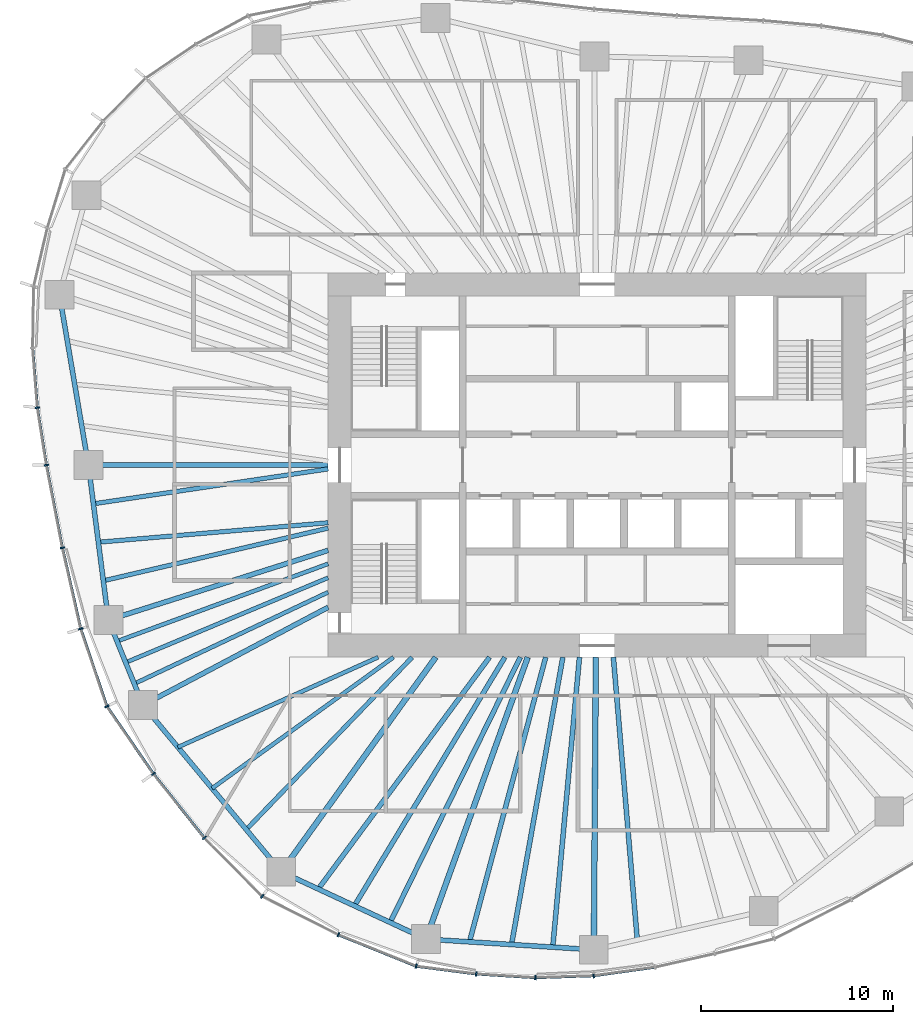
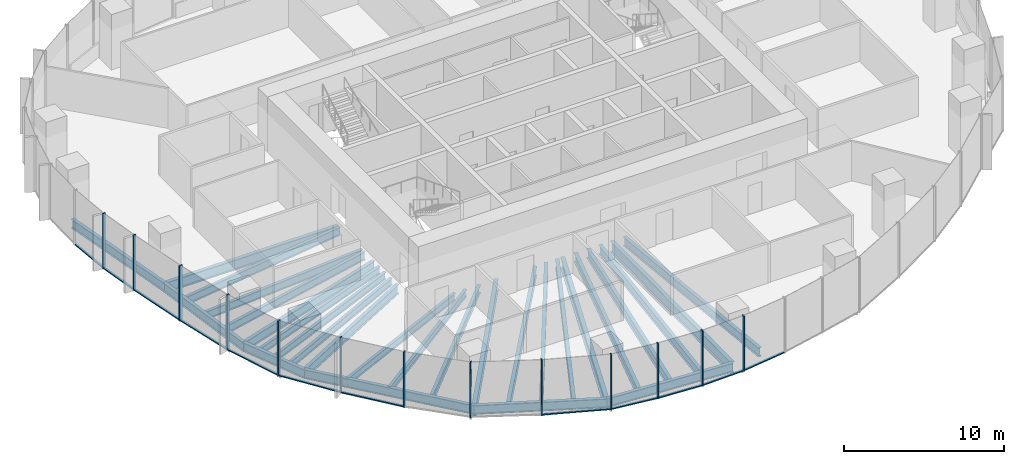
# One storey, part 2 of 18: 28 beams, 25 members, 7 elements without a shape of their own.
"""IFC4 building model written with IfcOpenShell, lengths in metres."""

from ifc_helpers import new_model, si_unit, direction, frame, origin, origin_2d, place, context, subcontext, project, spatial, rectangle, i_section, extrude, material, material_profile, profile_set, type_object, element, aggregate, save


model = new_model("IFC4")

# Units and contexts
model_context = context("Model", 3, precision=1e-05, world=origin(), true_north=direction((0.0, 1.0)))
body_context = subcontext(model_context, "Body", "Model", "MODEL_VIEW")
ifc_project = project(units=[si_unit("LENGTHUNIT", "METRE"), si_unit("AREAUNIT", "SQUARE_METRE"), si_unit("VOLUMEUNIT", "CUBIC_METRE"), si_unit("PLANEANGLEUNIT", "RADIAN"), si_unit("MASSUNIT", "GRAM", prefix="KILO")], contexts=[model_context])

# Site, building, storey
site_placement = place(None, origin())
site = spatial("IfcSite", under=ifc_project, at=site_placement, CompositionType="ELEMENT")
building_placement = place(site_placement, origin())
building = spatial("IfcBuilding", under=site, at=building_placement, Name="Ghaith Harvest Tower", CompositionType="ELEMENT")
storey_placement = place(building_placement, frame((0.0, 0.0, 121.800048828125)))
storey = spatial("IfcBuildingStorey", under=building, at=storey_placement, Name="L25", CompositionType="ELEMENT", Elevation=121.800048828125)

# Curtain wall, member
ifc_material_1 = material(Name="Black anodised aluminium and fritted glass", Category="aluminium")
curtain_wall_type = type_object("IfcCurtainWallType", Name="CW-L CURTAIN WALL", PredefinedType="NOTDEFINED", material=ifc_material_1)
curtain_wall_1_placement = place(storey_placement, origin())
curtain_wall_1 = element("IfcCurtainWall", 1, at=curtain_wall_1_placement, inside=storey, type_object=curtain_wall_type, Name="Curtain wall CW-L bay 10 L25", PredefinedType="NOTDEFINED")
ifc_material_2 = material(Name="Aluminium, black anodised", Category="aluminium")
ifc_material_profile_1 = material_profile(ifc_material_2, rectangle(XDim=0.080078125, YDim=0.239990234375, at=origin_2d()), Name="CW-L MULLION 80x240")
ifc_profile_set_1 = profile_set([ifc_material_profile_1], Name="Aluminium, black anodised")
member_type_1 = type_object("IfcMemberType", Name="CW-L MULLION 80x240", PredefinedType="MULLION", material=ifc_profile_set_1)
member_1_placement = place(storey_placement, frame((-29.131103515625, 2.990478515625, 0.0), z_axis=(0.0, 0.0, 1.0), x_axis=(0.116763791346, -0.993159713757, 0.0)))
member_1 = element("IfcMember", 2, at=member_1_placement, type_object=member_type_1, Name="CW-L mullion 3 bay 10 L25", PredefinedType="MULLION", context=body_context, shape_type="SweptSolid", body=[
    extrude(rectangle(XDim=0.080078125, YDim=0.239990234375, at=origin_2d()), origin(), (0.0, 0.0, 1.0), 4.199951171875),
])

# Curtain wall, members
curtain_wall_2_placement = place(storey_placement, origin())
curtain_wall_2 = element("IfcCurtainWall", 3, at=curtain_wall_2_placement, inside=storey, type_object=curtain_wall_type, Name="Curtain wall CW-L bay 11 L25", PredefinedType="NOTDEFINED")
member_2_placement = place(storey_placement, frame((-28.6611328125, 0.0, 0.0), z_axis=(0.0, 0.0, 1.0), x_axis=(0.175827209372, -0.984421044292, 0.0)))
member_2 = element("IfcMember", 4, at=member_2_placement, type_object=member_type_1, Name="CW-L mullion 1 bay 11 L25", PredefinedType="MULLION", context=body_context, shape_type="SweptSolid", body=[
    extrude(rectangle(XDim=0.080078125, YDim=0.239990234375, at=origin_2d()), origin(), (0.0, 0.0, 1.0), 4.199951171875),
])
member_3_placement = place(storey_placement, frame((-27.828125, -4.30419921875, 0.0), z_axis=(0.0, 0.0, 1.0), x_axis=(0.205176300018, -0.978725030798, 0.0)))
member_3 = element("IfcMember", 5, at=member_3_placement, type_object=member_type_1, Name="CW-L mullion 2 bay 11 L25", PredefinedType="MULLION", context=body_context, shape_type="SweptSolid", body=[
    extrude(rectangle(XDim=0.080078125, YDim=0.239990234375, at=origin_2d()), origin(), (0.0, 0.0, 1.0), 4.199951171875),
])

curtain_wall_3_placement = place(storey_placement, origin())
curtain_wall_3 = element("IfcCurtainWall", 6, at=curtain_wall_3_placement, inside=storey, type_object=curtain_wall_type, Name="Curtain wall CW-L bay 12 L25", PredefinedType="NOTDEFINED")
member_4_placement = place(storey_placement, frame((-26.875732421875, -8.517333984375, 0.0), z_axis=(0.0, 0.0, 1.0), x_axis=(0.270018818005, -0.962855045125, 0.0)))
member_4 = element("IfcMember", 7, at=member_4_placement, type_object=member_type_1, Name="CW-L mullion 1 bay 12 L25", PredefinedType="MULLION", context=body_context, shape_type="SweptSolid", body=[
    extrude(rectangle(XDim=0.080078125, YDim=0.239990234375, at=origin_2d()), origin(), (0.0, 0.0, 1.0), 4.199951171875),
])
member_5_placement = place(storey_placement, frame((-25.513427734375, -12.55810546875, 0.0), z_axis=(0.0, 0.0, 1.0), x_axis=(0.448267068681, -0.893899678452, 0.0)))
member_5 = element("IfcMember", 8, at=member_5_placement, type_object=member_type_1, Name="CW-L mullion 2 bay 12 L25", PredefinedType="MULLION", context=body_context, shape_type="SweptSolid", body=[
    extrude(rectangle(XDim=0.080078125, YDim=0.239990234375, at=origin_2d()), origin(), (0.0, 0.0, 1.0), 4.199951171875),
])

curtain_wall_4_placement = place(storey_placement, origin())
curtain_wall_4 = element("IfcCurtainWall", 9, at=curtain_wall_4_placement, inside=storey, type_object=curtain_wall_type, Name="Curtain wall CW-L bay 13 L25", PredefinedType="NOTDEFINED")
member_6_placement = place(storey_placement, frame((-23.090087890625, -16.066162109375, 0.0), z_axis=(0.0, 0.0, 1.0), x_axis=(0.595740202191, -0.803177198066, 0.0)))
member_6 = element("IfcMember", 10, at=member_6_placement, type_object=member_type_1, Name="CW-L mullion 1 bay 13 L25", PredefinedType="MULLION", context=body_context, shape_type="SweptSolid", body=[
    extrude(rectangle(XDim=0.080078125, YDim=0.239990234375, at=origin_2d()), origin(), (0.0, 0.0, 1.0), 4.199951171875),
])
member_7_placement = place(storey_placement, frame((-20.441162109375, -19.396728515625, 0.0), z_axis=(0.0, 0.0, 1.0), x_axis=(0.663764675537, -0.747941478666, 0.0)))
member_7 = element("IfcMember", 11, at=member_7_placement, type_object=member_type_1, Name="CW-L mullion 2 bay 13 L25", PredefinedType="MULLION", context=body_context, shape_type="SweptSolid", body=[
    extrude(rectangle(XDim=0.080078125, YDim=0.239990234375, at=origin_2d()), origin(), (0.0, 0.0, 1.0), 4.199951171875),
])

curtain_wall_5_placement = place(storey_placement, origin())
curtain_wall_5 = element("IfcCurtainWall", 12, at=curtain_wall_5_placement, inside=storey, type_object=curtain_wall_type, Name="Curtain wall CW-L bay 14 L25", PredefinedType="NOTDEFINED")
member_8_placement = place(storey_placement, frame((-17.430419921875, -22.443603515625, 0.0), z_axis=(0.0, 0.0, 1.0), x_axis=(0.810339399222, -0.585960799089, 0.0)))
member_8 = element("IfcMember", 13, at=member_8_placement, type_object=member_type_1, Name="CW-L mullion 1 bay 14 L25", PredefinedType="MULLION", context=body_context, shape_type="SweptSolid", body=[
    extrude(rectangle(XDim=0.080078125, YDim=0.239990234375, at=origin_2d()), origin(), (0.0, 0.0, 1.0), 4.199951171875),
])
member_9_placement = place(storey_placement, frame((-13.463134765625, -24.4423828125, 0.0), z_axis=(0.0, 0.0, 1.0), x_axis=(0.910648017946, -0.413182995066, 0.0)))
member_9 = element("IfcMember", 14, at=member_9_placement, type_object=member_type_1, Name="CW-L mullion 2 bay 14 L25", PredefinedType="MULLION", context=body_context, shape_type="SweptSolid", body=[
    extrude(rectangle(XDim=0.080078125, YDim=0.239990234375, at=origin_2d()), origin(), (0.0, 0.0, 1.0), 4.199951171875),
])

curtain_wall_6_placement = place(storey_placement, origin())
curtain_wall_6 = element("IfcCurtainWall", 15, at=curtain_wall_6_placement, inside=storey, type_object=curtain_wall_type, Name="Curtain wall CW-L bay 15 L25", PredefinedType="NOTDEFINED")
member_10_placement = place(storey_placement, frame((-9.4189453125, -26.07861328125, 0.0), z_axis=(0.0, 0.0, 1.0), x_axis=(0.961788606004, -0.273793128768, 0.0)))
member_10 = element("IfcMember", 16, at=member_10_placement, type_object=member_type_1, Name="CW-L mullion 1 bay 15 L25", PredefinedType="MULLION", context=body_context, shape_type="SweptSolid", body=[
    extrude(rectangle(XDim=0.080078125, YDim=0.239990234375, at=origin_2d()), origin(), (0.0, 0.0, 1.0), 4.199951171875),
])
member_11_placement = place(storey_placement, frame((-6.29443359375, -26.483154296875, 0.0), z_axis=(0.0, 0.0, 1.0), x_axis=(0.995389243171, -0.095917957546, 0.0)))
member_11 = element("IfcMember", 17, at=member_11_placement, type_object=member_type_1, Name="CW-L mullion 2 bay 15 L25", PredefinedType="MULLION", context=body_context, shape_type="SweptSolid", body=[
    extrude(rectangle(XDim=0.080078125, YDim=0.239990234375, at=origin_2d()), origin(), (0.0, 0.0, 1.0), 4.199951171875),
])
member_12_placement = place(storey_placement, frame((-3.21923828125, -26.676025390625, 0.0), z_axis=(0.0, 0.0, 1.0), x_axis=(0.999890531495, -0.014796115241, 0.0)))
member_12 = element("IfcMember", 18, at=member_12_placement, type_object=member_type_1, Name="CW-L mullion 3 bay 15 L25", PredefinedType="MULLION", context=body_context, shape_type="SweptSolid", body=[
    extrude(rectangle(XDim=0.080078125, YDim=0.239990234375, at=origin_2d()), origin(), (0.0, 0.0, 1.0), 4.199951171875),
])

# Curtain wall, member
curtain_wall_7_placement = place(storey_placement, origin())
curtain_wall_7 = element("IfcCurtainWall", 19, at=curtain_wall_7_placement, inside=storey, type_object=curtain_wall_type, Name="Curtain wall CW-L bay 16 L25", PredefinedType="NOTDEFINED")
member_13_placement = place(storey_placement, frame((-0.181884765625, -26.57373046875, 0.0), z_axis=(0.0, 0.0, 1.0), x_axis=(0.996169227662, 0.087446382772, 0.0)))
member_13 = element("IfcMember", 20, at=member_13_placement, type_object=member_type_1, Name="CW-L mullion 1 bay 16 L25", PredefinedType="MULLION", context=body_context, shape_type="SweptSolid", body=[
    extrude(rectangle(XDim=0.080078125, YDim=0.239990234375, at=origin_2d()), origin(), (0.0, 0.0, 1.0), 4.199951171875),
])

# Member
ifc_material_3 = material(Name="Aluminium, black anodised", Category="aluminium")
ifc_material_profile_2 = material_profile(ifc_material_3, rectangle(XDim=0.14990234375, YDim=0.080078125, at=origin_2d()), Name="CW-L TRANSOM 150x80")
ifc_profile_set_2 = profile_set([ifc_material_profile_2], Name="Aluminium, black anodised")
member_type_2 = type_object("IfcMemberType", Name="CW-L TRANSOM 150x80", PredefinedType="USERDEFINED", material=ifc_profile_set_2)
member_14_placement = place(storey_placement, frame((-29.374755859375, 6.05615234375, 0.0400390625), z_axis=(0.079230491279, -0.996856323274, 0.0), x_axis=(0.996856323274, 0.079230491279, 0.0)))
member_14 = element("IfcMember", 21, at=member_14_placement, type_object=member_type_2, Name="CW-L transom 2 bay 10 L25", ObjectType="TRANSOM", PredefinedType="USERDEFINED", context=body_context, shape_type="SweptSolid", body=[
    extrude(rectangle(XDim=0.14990234375, YDim=0.080078125, at=origin_2d()), origin(), (0.0, 0.0, 1.0), 3.03515625),
])

member_15_placement = place(storey_placement, frame((-29.124755859375, 2.951171875, 0.0400390625), z_axis=(0.155150065502, -0.987890913601, 0.0), x_axis=(0.987890913601, 0.155150065502, 0.0)))
member_15 = element("IfcMember", 22, at=member_15_placement, type_object=member_type_2, Name="CW-L transom 3 bay 10 L25", ObjectType="TRANSOM", PredefinedType="USERDEFINED", context=body_context, shape_type="SweptSolid", body=[
    extrude(rectangle(XDim=0.14990234375, YDim=0.080078125, at=origin_2d()), origin(), (0.0, 0.0, 1.0), 2.947265625),
])

aggregate(curtain_wall_1, [member_14, member_1, member_15])

member_16_placement = place(storey_placement, frame((-28.653564453125, -0.039306640625, 0.0400390625), z_axis=(0.190025434036, -0.981779167848, 0.0), x_axis=(0.981779167848, 0.190025434036, 0.0)))
member_16 = element("IfcMember", 23, at=member_16_placement, type_object=member_type_2, Name="CW-L transom 1 bay 11 L25", ObjectType="TRANSOM", PredefinedType="USERDEFINED", context=body_context, shape_type="SweptSolid", body=[
    extrude(rectangle(XDim=0.14990234375, YDim=0.080078125, at=origin_2d()), origin(), (0.0, 0.0, 1.0), 4.303955078125),
])

member_17_placement = place(storey_placement, frame((-27.8193359375, -4.34326171875, 0.0400390625), z_axis=(0.220508326041, -0.975385092231, 0.0), x_axis=(0.975385092231, 0.220508326041, 0.0)))
member_17 = element("IfcMember", 24, at=member_17_placement, type_object=member_type_2, Name="CW-L transom 2 bay 11 L25", ObjectType="TRANSOM", PredefinedType="USERDEFINED", context=body_context, shape_type="SweptSolid", body=[
    extrude(rectangle(XDim=0.14990234375, YDim=0.080078125, at=origin_2d()), origin(), (0.0, 0.0, 1.0), 4.2392578125),
])

aggregate(curtain_wall_2, [member_2, member_16, member_3, member_17])

member_18_placement = place(storey_placement, frame((-26.863037109375, -8.55517578125, 0.0400390625), z_axis=(0.319499057133, -0.947586593664, 0.0), x_axis=(0.947586593664, 0.319499057133, 0.0)))
member_18 = element("IfcMember", 25, at=member_18_placement, type_object=member_type_2, Name="CW-L transom 1 bay 12 L25", ObjectType="TRANSOM", PredefinedType="USERDEFINED", context=body_context, shape_type="SweptSolid", body=[
    extrude(rectangle(XDim=0.14990234375, YDim=0.080078125, at=origin_2d()), origin(), (0.0, 0.0, 1.0), 4.184326171875),
])

member_19_placement = place(storey_placement, frame((-25.49072265625, -12.591064453125, 0.0400390625), z_axis=(0.568360052499, -0.822779952796, 0.0), x_axis=(0.822779952796, 0.568360052499, 0.0)))
member_19 = element("IfcMember", 26, at=member_19_placement, type_object=member_type_2, Name="CW-L transom 2 bay 12 L25", ObjectType="TRANSOM", PredefinedType="USERDEFINED", context=body_context, shape_type="SweptSolid", body=[
    extrude(rectangle(XDim=0.14990234375, YDim=0.080078125, at=origin_2d()), origin(), (0.0, 0.0, 1.0), 4.183837890625),
])

aggregate(curtain_wall_3, [member_4, member_18, member_5, member_19])

member_20_placement = place(storey_placement, frame((-23.065185546875, -16.09765625, 0.0400390625), z_axis=(0.622510542814, -0.782611413209, 0.0), x_axis=(0.782611413209, 0.622510542814, 0.0)))
member_20 = element("IfcMember", 27, at=member_20_placement, type_object=member_type_2, Name="CW-L transom 1 bay 13 L25", ObjectType="TRANSOM", PredefinedType="USERDEFINED", context=body_context, shape_type="SweptSolid", body=[
    extrude(rectangle(XDim=0.14990234375, YDim=0.080078125, at=origin_2d()), origin(), (0.0, 0.0, 1.0), 4.17529296875),
])

aggregate(curtain_wall_4, [member_6, member_20, member_7])

member_21_placement = place(storey_placement, frame((-13.426025390625, -24.45751953125, 0.0400390625), z_axis=(0.92700297754, -0.375053968959, 0.0), x_axis=(0.375053968959, 0.92700297754, 0.0)))
member_21 = element("IfcMember", 28, at=member_21_placement, type_object=member_type_2, Name="CW-L transom 2 bay 14 L25", ObjectType="TRANSOM", PredefinedType="USERDEFINED", context=body_context, shape_type="SweptSolid", body=[
    extrude(rectangle(XDim=0.14990234375, YDim=0.080078125, at=origin_2d()), origin(), (0.0, 0.0, 1.0), 4.282470703125),
])

aggregate(curtain_wall_5, [member_8, member_9, member_21])

member_22_placement = place(storey_placement, frame((-9.37939453125, -26.083740234375, 0.0400390625), z_axis=(0.991722765635, -0.128397648429, 0.0), x_axis=(0.128397648429, 0.991722765635, 0.0)))
member_22 = element("IfcMember", 29, at=member_22_placement, type_object=member_type_2, Name="CW-L transom 1 bay 15 L25", ObjectType="TRANSOM", PredefinedType="USERDEFINED", context=body_context, shape_type="SweptSolid", body=[
    extrude(rectangle(XDim=0.14990234375, YDim=0.080078125, at=origin_2d()), origin(), (0.0, 0.0, 1.0), 3.07080078125),
])

member_23_placement = place(storey_placement, frame((-6.25439453125, -26.485595703125, 0.0400390625), z_axis=(0.998036402434, -0.062636566132, 0.0), x_axis=(0.062636566132, 0.998036402434, 0.0)))
member_23 = element("IfcMember", 30, at=member_23_placement, type_object=member_type_2, Name="CW-L transom 2 bay 15 L25", ObjectType="TRANSOM", PredefinedType="USERDEFINED", context=body_context, shape_type="SweptSolid", body=[
    extrude(rectangle(XDim=0.14990234375, YDim=0.080078125, at=origin_2d()), origin(), (0.0, 0.0, 1.0), 3.001220703125),
])

member_24_placement = place(storey_placement, frame((-3.17919921875, -26.6748046875, 0.0400390625), z_axis=(0.999430436664, 0.033746144522, 0.0), x_axis=(-0.033746144522, 0.999430436664, 0.0)))
member_24 = element("IfcMember", 31, at=member_24_placement, type_object=member_type_2, Name="CW-L transom 3 bay 15 L25", ObjectType="TRANSOM", PredefinedType="USERDEFINED", context=body_context, shape_type="SweptSolid", body=[
    extrude(rectangle(XDim=0.14990234375, YDim=0.080078125, at=origin_2d()), origin(), (0.0, 0.0, 1.0), 2.958984375),
])

aggregate(curtain_wall_6, [member_10, member_22, member_11, member_23, member_12, member_24])

member_25_placement = place(storey_placement, frame((-0.142333984375, -26.568115234375, 0.0400390625), z_axis=(0.990446640965, 0.137896524254, 0.0), x_axis=(-0.137896524254, 0.990446640965, 0.0)))
member_25 = element("IfcMember", 32, at=member_25_placement, type_object=member_type_2, Name="CW-L transom 1 bay 16 L25", ObjectType="TRANSOM", PredefinedType="USERDEFINED", context=body_context, shape_type="SweptSolid", body=[
    extrude(rectangle(XDim=0.14990234375, YDim=0.080078125, at=origin_2d()), origin(), (0.0, 0.0, 1.0), 3.142578125),
])

aggregate(curtain_wall_7, [member_13, member_25])

# Beams
ifc_material_4 = material(Name="Steel ASTM A992 Grade 50", Category="steel")
ifc_material_profile_3 = material_profile(ifc_material_4, i_section(OverallWidth=0.25390625, OverallDepth=0.68408203125, WebThickness=0.012451171875, FlangeThickness=0.018798828125, at=origin_2d()), Name="W690X140")
ifc_profile_set_3 = profile_set([ifc_material_profile_3], Name="Steel ASTM A992 Grade 50")
beam_type_1 = type_object("IfcBeamType", Name="E690-140 W690X140", PredefinedType="SPANDREL", material=ifc_profile_set_3)
beam_1_placement = place(storey_placement, frame((-27.98291015625, 8.867919921875, -0.511962890625), z_axis=(0.167624246844, -0.985850958244, 0.0), x_axis=(0.985850958244, 0.167624246844, 0.0)))
element("IfcBeam", 33, at=beam_1_placement, inside=storey, type_object=beam_type_1, Name="Edge beam E10 L25", PredefinedType="SPANDREL", context=body_context, shape_type="SweptSolid", body=[
    extrude(i_section(OverallWidth=0.25390625, OverallDepth=0.68408203125, WebThickness=0.012451171875, FlangeThickness=0.018798828125, at=origin_2d()), origin(), (0.0, 0.0, 1.0), 8.9951171875),
])
beam_2_placement = place(storey_placement, frame((-26.47509765625, 0.0, -0.511962890625), z_axis=(0.127841715048, -0.991794583517, 0.0), x_axis=(0.991794583517, 0.127841715048, 0.0)))
element("IfcBeam", 34, at=beam_2_placement, inside=storey, type_object=beam_type_1, Name="Edge beam E11 L25", PredefinedType="SPANDREL", context=body_context, shape_type="SweptSolid", body=[
    extrude(i_section(OverallWidth=0.25390625, OverallDepth=0.68408203125, WebThickness=0.012451171875, FlangeThickness=0.018798828125, at=origin_2d()), origin(), (0.0, 0.0, 1.0), 8.127685546875),
])
beam_3_placement = place(storey_placement, frame((-25.43603515625, -8.06103515625, -0.511962890625), z_axis=(0.376479712052, -0.9264248628, 0.0), x_axis=(0.9264248628, 0.376479712052, 0.0)))
element("IfcBeam", 35, at=beam_3_placement, inside=storey, type_object=beam_type_1, Name="Edge beam E12 L25", PredefinedType="SPANDREL", context=body_context, shape_type="SweptSolid", body=[
    extrude(i_section(OverallWidth=0.25390625, OverallDepth=0.68408203125, WebThickness=0.012451171875, FlangeThickness=0.018798828125, at=origin_2d()), origin(), (0.0, 0.0, 1.0), 4.783935546875),
])
beam_4_placement = place(storey_placement, frame((-23.635009765625, -12.492919921875, -0.511962890625), z_axis=(0.638719320052, -0.769439815835, 0.0), x_axis=(0.769439815835, 0.638719320052, 0.0)))
element("IfcBeam", 36, at=beam_4_placement, inside=storey, type_object=beam_type_1, Name="Edge beam E13 L25", PredefinedType="SPANDREL", context=body_context, shape_type="SweptSolid", body=[
    extrude(i_section(OverallWidth=0.25390625, OverallDepth=0.68408203125, WebThickness=0.012451171875, FlangeThickness=0.018798828125, at=origin_2d()), origin(), (0.0, 0.0, 1.0), 11.26953125),
])
beam_5_placement = place(storey_placement, frame((-16.43701171875, -21.1640625, -0.511962890625), z_axis=(0.906607079462, -0.421975832802, 0.0), x_axis=(0.421975832802, 0.906607079462, 0.0)))
element("IfcBeam", 37, at=beam_5_placement, inside=storey, type_object=beam_type_1, Name="Edge beam E14 L25", PredefinedType="SPANDREL", context=body_context, shape_type="SweptSolid", body=[
    extrude(i_section(OverallWidth=0.25390625, OverallDepth=0.68408203125, WebThickness=0.012451171875, FlangeThickness=0.018798828125, at=origin_2d()), origin(), (0.0, 0.0, 1.0), 8.303466796875),
])
beam_6_placement = place(storey_placement, frame((-8.908935546875, -24.66796875, -0.511962890625), z_axis=(0.99797963184, -0.063534671101, 0.0), x_axis=(0.063534671101, 0.99797963184, 0.0)))
element("IfcBeam", 38, at=beam_6_placement, inside=storey, type_object=beam_type_1, Name="Edge beam E15 L25", PredefinedType="SPANDREL", context=body_context, shape_type="SweptSolid", body=[
    extrude(i_section(OverallWidth=0.25390625, OverallDepth=0.68408203125, WebThickness=0.012451171875, FlangeThickness=0.018798828125, at=origin_2d()), origin(), (0.0, 0.0, 1.0), 8.75341796875),
])
ifc_material_5 = material(Name="Steel ASTM A992 Grade 50", Category="steel")
ifc_material_profile_4 = material_profile(ifc_material_5, i_section(OverallWidth=0.256103515625, OverallDepth=0.693115234375, WebThickness=0.014404296875, FlangeThickness=0.023681640625, at=origin_2d()), Name="W690X170")
ifc_profile_set_4 = profile_set([ifc_material_profile_4], Name="Steel ASTM A992 Grade 50")
beam_type_2 = type_object("IfcBeamType", Name="G690-170 W690X170", PredefinedType="BEAM", material=ifc_profile_set_4)
beam_7_placement = place(storey_placement, frame((-14.0, -4.43701171875, -0.5166015625), z_axis=(-0.953279533519, -0.302089607522, 0.0), x_axis=(0.302089607522, -0.953279533519, 0.0)))
element("IfcBeam", 39, at=beam_7_placement, inside=storey, type_object=beam_type_2, Name="Radial girder G12 L25", PredefinedType="BEAM", context=body_context, shape_type="SweptSolid", body=[
    extrude(i_section(OverallWidth=0.256103515625, OverallDepth=0.693115234375, WebThickness=0.014404296875, FlangeThickness=0.023681640625, at=origin_2d()), origin(), (0.0, 0.0, 1.0), 11.99658203125),
])
beam_8_placement = place(storey_placement, frame((-14.0, -7.39990234375, -0.5166015625), z_axis=(-0.884086346066, -0.467323584576, 0.0), x_axis=(0.467323584576, -0.884086346066, 0.0)))
element("IfcBeam", 40, at=beam_8_placement, inside=storey, type_object=beam_type_2, Name="Radial girder G13 L25", PredefinedType="BEAM", context=body_context, shape_type="SweptSolid", body=[
    extrude(i_section(OverallWidth=0.256103515625, OverallDepth=0.693115234375, WebThickness=0.014404296875, FlangeThickness=0.023681640625, at=origin_2d()), origin(), (0.0, 0.0, 1.0), 10.898193359375),
])
ifc_material_6 = material(Name="Steel ASTM A992 Grade 50", Category="steel")
ifc_material_profile_5 = material_profile(ifc_material_6, i_section(OverallWidth=0.26806640625, OverallDepth=0.77001953125, WebThickness=0.015625, FlangeThickness=0.025390625, at=origin_2d()), Name="W760X196")
ifc_profile_set_5 = profile_set([ifc_material_profile_5], Name="Steel ASTM A992 Grade 50")
beam_type_3 = type_object("IfcBeamType", Name="G760-196 W760X196", PredefinedType="BEAM", material=ifc_profile_set_5)
beam_9_placement = place(storey_placement, frame((-14.0, 0.0, -0.554931640625), z_axis=(-1.0, 0.0, 0.0), x_axis=(0.0, -1.0, 0.0)))
element("IfcBeam", 41, at=beam_9_placement, inside=storey, type_object=beam_type_3, Name="Radial girder G11 L25", PredefinedType="BEAM", context=body_context, shape_type="SweptSolid", body=[
    extrude(i_section(OverallWidth=0.26806640625, OverallDepth=0.77001953125, WebThickness=0.015625, FlangeThickness=0.025390625, at=origin_2d()), origin(), (0.0, 0.0, 1.0), 12.47509765625),
])
ifc_material_7 = material(Name="Steel ASTM A992 Grade 50", Category="steel")
ifc_material_profile_6 = material_profile(ifc_material_7, i_section(OverallWidth=0.2939453125, OverallDepth=0.85107421875, WebThickness=0.01611328125, FlangeThickness=0.02685546875, at=origin_2d()), Name="W840X226")
ifc_profile_set_6 = profile_set([ifc_material_profile_6], Name="Steel ASTM A992 Grade 50")
beam_type_4 = type_object("IfcBeamType", Name="G840-226 W840X226", PredefinedType="BEAM", material=ifc_profile_set_6)
beam_10_placement = place(storey_placement, frame((-8.39990234375, -10.0, -0.595458984375), z_axis=(-0.584256100809, -0.811569349265, 0.0), x_axis=(0.811569349265, -0.584256100809, 0.0)))
element("IfcBeam", 42, at=beam_10_placement, inside=storey, type_object=beam_type_4, Name="Radial girder G14 L25", PredefinedType="BEAM", context=body_context, shape_type="SweptSolid", body=[
    extrude(i_section(OverallWidth=0.2939453125, OverallDepth=0.85107421875, WebThickness=0.01611328125, FlangeThickness=0.02685546875, at=origin_2d()), origin(), (0.0, 0.0, 1.0), 13.756103515625),
])
beam_11_placement = place(storey_placement, frame((-3.61181640625, -10.0, -0.595458984375), z_axis=(-0.339664467784, -0.940546675782, 0.0), x_axis=(0.940546675782, -0.339664467784, 0.0)))
element("IfcBeam", 43, at=beam_11_placement, inside=storey, type_object=beam_type_4, Name="Radial girder G15 L25", PredefinedType="BEAM", context=body_context, shape_type="SweptSolid", body=[
    extrude(i_section(OverallWidth=0.2939453125, OverallDepth=0.85107421875, WebThickness=0.01611328125, FlangeThickness=0.02685546875, at=origin_2d()), origin(), (0.0, 0.0, 1.0), 15.59521484375),
])
beam_12_placement = place(storey_placement, frame((-0.068359375, -10.0, -0.595458984375), z_axis=(-0.006879467722, -0.999976336182, 0.0), x_axis=(0.999976336182, -0.006879467722, 0.0)))
element("IfcBeam", 44, at=beam_12_placement, inside=storey, type_object=beam_type_4, Name="Radial girder G16 L25", PredefinedType="BEAM", context=body_context, shape_type="SweptSolid", body=[
    extrude(i_section(OverallWidth=0.2939453125, OverallDepth=0.85107421875, WebThickness=0.01611328125, FlangeThickness=0.02685546875, at=origin_2d()), origin(), (0.0, 0.0, 1.0), 15.224365234375),
])
ifc_material_8 = material(Name="Steel ASTM A992 Grade 50", Category="steel")
ifc_material_profile_7 = material_profile(ifc_material_8, i_section(OverallWidth=0.2109375, OverallDepth=0.5390625, WebThickness=0.01171875, FlangeThickness=0.018798828125, at=origin_2d()), Name="W530X109")
ifc_profile_set_7 = profile_set([ifc_material_profile_7], Name="Steel ASTM A992 Grade 50")
beam_type_5 = type_object("IfcBeamType", Name="J530-109 W530X109", PredefinedType="JOIST", material=ifc_profile_set_7)
beam_13_placement = place(storey_placement, frame((-14.0, -5.137939453125, -0.439453125), z_axis=(-0.938774452531, -0.344532331247, 0.0), x_axis=(0.344532331247, -0.938774452531, 0.0)))
element("IfcBeam", 45, at=beam_13_placement, inside=storey, type_object=beam_type_5, Name="Joist J12.1 L25", PredefinedType="JOIST", context=body_context, shape_type="SweptSolid", body=[
    extrude(i_section(OverallWidth=0.2109375, OverallDepth=0.5390625, WebThickness=0.01171875, FlangeThickness=0.018798828125, at=origin_2d()), origin(), (0.0, 0.0, 1.0), 11.7021484375),
])
beam_14_placement = place(storey_placement, frame((-14.0, -5.862548828125, -0.439453125), z_axis=(-0.922385564947, -0.386270461693, 0.0), x_axis=(0.386270461693, -0.922385564947, 0.0)))
element("IfcBeam", 46, at=beam_14_placement, inside=storey, type_object=beam_type_5, Name="Joist J12.2 L25", PredefinedType="JOIST", context=body_context, shape_type="SweptSolid", body=[
    extrude(i_section(OverallWidth=0.2109375, OverallDepth=0.5390625, WebThickness=0.01171875, FlangeThickness=0.018798828125, at=origin_2d()), origin(), (0.0, 0.0, 1.0), 11.4228515625),
])
beam_15_placement = place(storey_placement, frame((-14.0, -6.614990234375, -0.439453125), z_axis=(-0.904150042111, -0.427215052815, 0.0), x_axis=(0.427215052815, -0.904150042111, 0.0)))
element("IfcBeam", 47, at=beam_15_placement, inside=storey, type_object=beam_type_5, Name="Joist J12.3 L25", PredefinedType="JOIST", context=body_context, shape_type="SweptSolid", body=[
    extrude(i_section(OverallWidth=0.2109375, OverallDepth=0.5390625, WebThickness=0.01171875, FlangeThickness=0.018798828125, at=origin_2d()), origin(), (0.0, 0.0, 1.0), 11.15625),
])
beam_16_placement = place(storey_placement, frame((-11.39990234375, -10.0, -0.439453125), z_axis=(-0.912147734774, -0.409861574127, 0.0), x_axis=(0.409861574127, -0.912147734774, 0.0)))
element("IfcBeam", 48, at=beam_16_placement, inside=storey, type_object=beam_type_5, Name="Joist J13.1 L25", PredefinedType="JOIST", context=body_context, shape_type="SweptSolid", body=[
    extrude(i_section(OverallWidth=0.2109375, OverallDepth=0.5390625, WebThickness=0.01171875, FlangeThickness=0.018798828125, at=origin_2d()), origin(), (0.0, 0.0, 1.0), 11.421875),
])
beam_17_placement = place(storey_placement, frame((-10.60009765625, -10.0, -0.439453125), z_axis=(-0.810452010932, -0.5858050341, 0.0), x_axis=(0.5858050341, -0.810452010932, 0.0)))
element("IfcBeam", 49, at=beam_17_placement, inside=storey, type_object=beam_type_5, Name="Joist J13.2 L25", PredefinedType="JOIST", context=body_context, shape_type="SweptSolid", body=[
    extrude(i_section(OverallWidth=0.2109375, OverallDepth=0.5390625, WebThickness=0.01171875, FlangeThickness=0.018798828125, at=origin_2d()), origin(), (0.0, 0.0, 1.0), 11.64794921875),
])
ifc_material_9 = material(Name="Steel ASTM A992 Grade 50", Category="steel")
ifc_material_profile_8 = material_profile(ifc_material_9, i_section(OverallWidth=0.22900390625, OverallDepth=0.612060546875, WebThickness=0.011962890625, FlangeThickness=0.01953125, at=origin_2d()), Name="W610X125")
ifc_profile_set_8 = profile_set([ifc_material_profile_8], Name="Steel ASTM A992 Grade 50")
beam_type_6 = type_object("IfcBeamType", Name="J610-125 W610X125", PredefinedType="JOIST", material=ifc_profile_set_8)
beam_18_placement = place(storey_placement, frame((-14.0, -0.199951171875, -0.47607421875), z_axis=(-0.989135422742, -0.147007195321, 0.0), x_axis=(0.147007195321, -0.989135422742, 0.0)))
element("IfcBeam", 50, at=beam_18_placement, inside=storey, type_object=beam_type_6, Name="Joist J11.1 L25", PredefinedType="JOIST", context=body_context, shape_type="SweptSolid", body=[
    extrude(i_section(OverallWidth=0.22900390625, OverallDepth=0.612060546875, WebThickness=0.011962890625, FlangeThickness=0.01953125, at=origin_2d()), origin(), (0.0, 0.0, 1.0), 12.349365234375),
])
beam_19_placement = place(storey_placement, frame((-14.0, -3.0, -0.47607421875), z_axis=(-0.996417474722, -0.0845707755, 0.0), x_axis=(0.0845707755, -0.996417474722, 0.0)))
element("IfcBeam", 51, at=beam_19_placement, inside=storey, type_object=beam_type_6, Name="Joist J11.2 L25", PredefinedType="JOIST", context=body_context, shape_type="SweptSolid", body=[
    extrude(i_section(OverallWidth=0.22900390625, OverallDepth=0.612060546875, WebThickness=0.011962890625, FlangeThickness=0.01953125, at=origin_2d()), origin(), (0.0, 0.0, 1.0), 12.00048828125),
])
beam_20_placement = place(storey_placement, frame((-14.0, -3.280517578125, -0.47607421875), z_axis=(-0.973624350862, -0.228157014813, 0.0), x_axis=(0.228157014813, -0.973624350862, 0.0)))
element("IfcBeam", 52, at=beam_20_placement, inside=storey, type_object=beam_type_6, Name="Joist J11.3 L25", PredefinedType="JOIST", context=body_context, shape_type="SweptSolid", body=[
    extrude(i_section(OverallWidth=0.22900390625, OverallDepth=0.612060546875, WebThickness=0.011962890625, FlangeThickness=0.01953125, at=origin_2d()), origin(), (0.0, 0.0, 1.0), 12.015625),
])
beam_21_placement = place(storey_placement, frame((-9.626708984375, -10.0, -0.47607421875), z_axis=(-0.693534641621, -0.720423278963, 0.0), x_axis=(0.720423278963, -0.693534641621, 0.0)))
element("IfcBeam", 53, at=beam_21_placement, inside=storey, type_object=beam_type_6, Name="Joist J13.3 L25", PredefinedType="JOIST", context=body_context, shape_type="SweptSolid", body=[
    extrude(i_section(OverallWidth=0.22900390625, OverallDepth=0.612060546875, WebThickness=0.011962890625, FlangeThickness=0.01953125, at=origin_2d()), origin(), (0.0, 0.0, 1.0), 12.4482421875),
])
ifc_material_10 = material(Name="Steel ASTM A992 Grade 50", Category="steel")
ifc_material_profile_9 = material_profile(ifc_material_10, i_section(OverallWidth=0.25390625, OverallDepth=0.68408203125, WebThickness=0.012451171875, FlangeThickness=0.018798828125, at=origin_2d()), Name="W690X140")
ifc_profile_set_9 = profile_set([ifc_material_profile_9], Name="Steel ASTM A992 Grade 50")
beam_type_7 = type_object("IfcBeamType", Name="J690-140 W690X140", PredefinedType="JOIST", material=ifc_profile_set_9)
beam_22_placement = place(storey_placement, frame((-5.60009765625, -10.0, -0.511962890625), z_axis=(-0.59434024765, -0.804213696739, 0.0), x_axis=(0.804213696739, -0.59434024765, 0.0)))
element("IfcBeam", 54, at=beam_22_placement, inside=storey, type_object=beam_type_7, Name="Joist J14.1 L25", PredefinedType="JOIST", context=body_context, shape_type="SweptSolid", body=[
    extrude(i_section(OverallWidth=0.25390625, OverallDepth=0.68408203125, WebThickness=0.012451171875, FlangeThickness=0.018798828125, at=origin_2d()), origin(), (0.0, 0.0, 1.0), 14.995849609375),
])
beam_23_placement = place(storey_placement, frame((-4.800048828125, -10.0, -0.511962890625), z_axis=(-0.517986442874, -0.855388826791, 0.0), x_axis=(0.855388826791, -0.517986442874, 0.0)))
element("IfcBeam", 55, at=beam_23_placement, inside=storey, type_object=beam_type_7, Name="Joist J14.2 L25", PredefinedType="JOIST", context=body_context, shape_type="SweptSolid", body=[
    extrude(i_section(OverallWidth=0.25390625, OverallDepth=0.68408203125, WebThickness=0.012451171875, FlangeThickness=0.018798828125, at=origin_2d()), origin(), (0.0, 0.0, 1.0), 15.12158203125),
])
beam_24_placement = place(storey_placement, frame((-4.0, -10.0, -0.511962890625), z_axis=(-0.440562898219, -0.897721745706, 0.0), x_axis=(0.897721745706, -0.440562898219, 0.0)))
element("IfcBeam", 56, at=beam_24_placement, inside=storey, type_object=beam_type_7, Name="Joist J14.3 L25", PredefinedType="JOIST", context=body_context, shape_type="SweptSolid", body=[
    extrude(i_section(OverallWidth=0.25390625, OverallDepth=0.68408203125, WebThickness=0.012451171875, FlangeThickness=0.018798828125, at=origin_2d()), origin(), (0.0, 0.0, 1.0), 15.372802734375),
])
beam_25_placement = place(storey_placement, frame((-2.677978515625, -10.0, -0.511962890625), z_axis=(-0.258693109612, -0.965959561803, 0.0), x_axis=(0.965959561803, -0.258693109612, 0.0)))
element("IfcBeam", 57, at=beam_25_placement, inside=storey, type_object=beam_type_7, Name="Joist J15.1 L25", PredefinedType="JOIST", context=body_context, shape_type="SweptSolid", body=[
    extrude(i_section(OverallWidth=0.25390625, OverallDepth=0.68408203125, WebThickness=0.012451171875, FlangeThickness=0.018798828125, at=origin_2d()), origin(), (0.0, 0.0, 1.0), 15.333984375),
])
beam_26_placement = place(storey_placement, frame((-1.785888671875, -10.0, -0.511962890625), z_axis=(-0.175792307544, -0.984427277461, 0.0), x_axis=(0.984427277461, -0.175792307544, 0.0)))
element("IfcBeam", 58, at=beam_26_placement, inside=storey, type_object=beam_type_7, Name="Joist J15.2 L25", PredefinedType="JOIST", context=body_context, shape_type="SweptSolid", body=[
    extrude(i_section(OverallWidth=0.25390625, OverallDepth=0.68408203125, WebThickness=0.012451171875, FlangeThickness=0.018798828125, at=origin_2d()), origin(), (0.0, 0.0, 1.0), 15.18798828125),
])
beam_27_placement = place(storey_placement, frame((-0.92041015625, -10.0, -0.511962890625), z_axis=(-0.091651457116, -0.995791147987, 0.0), x_axis=(0.995791147987, -0.091651457116, 0.0)))
element("IfcBeam", 59, at=beam_27_placement, inside=storey, type_object=beam_type_7, Name="Joist J15.3 L25", PredefinedType="JOIST", context=body_context, shape_type="SweptSolid", body=[
    extrude(i_section(OverallWidth=0.25390625, OverallDepth=0.68408203125, WebThickness=0.012451171875, FlangeThickness=0.018798828125, at=origin_2d()), origin(), (0.0, 0.0, 1.0), 15.151611328125),
])
beam_28_placement = place(storey_placement, frame((0.844970703125, -10.0, -0.511962890625), z_axis=(0.084208979751, -0.996448115924, 0.0), x_axis=(0.996448115924, 0.084208979751, 0.0)))
element("IfcBeam", 60, at=beam_28_placement, inside=storey, type_object=beam_type_7, Name="Joist J16.1 L25", PredefinedType="JOIST", context=body_context, shape_type="SweptSolid", body=[
    extrude(i_section(OverallWidth=0.25390625, OverallDepth=0.68408203125, WebThickness=0.012451171875, FlangeThickness=0.018798828125, at=origin_2d()), origin(), (0.0, 0.0, 1.0), 14.760009765625),
])

save(model, "model.ifc")
